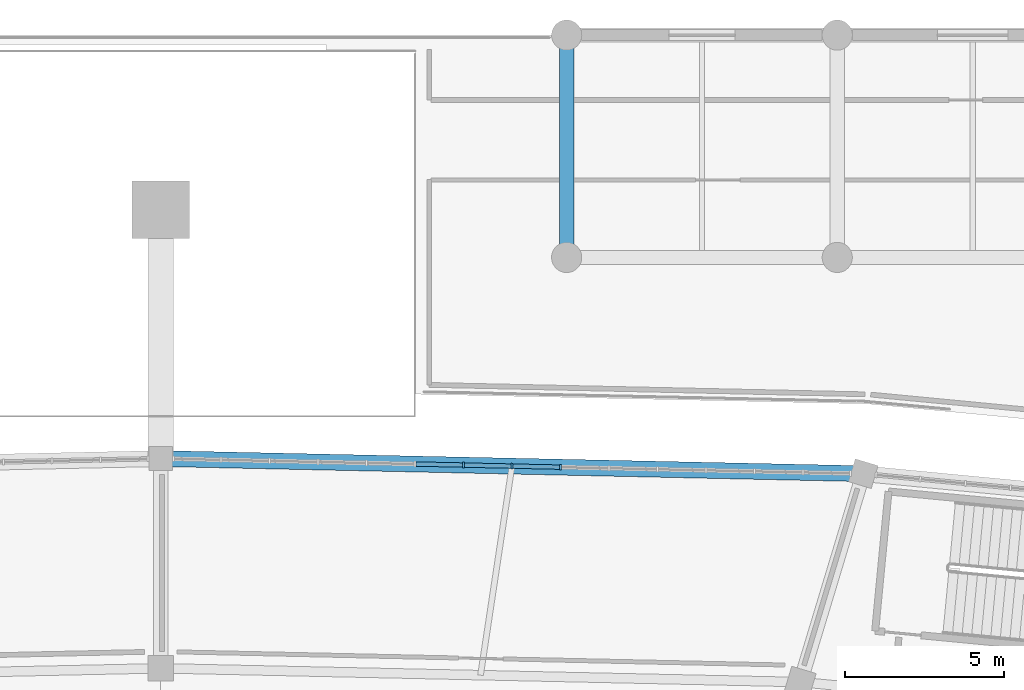
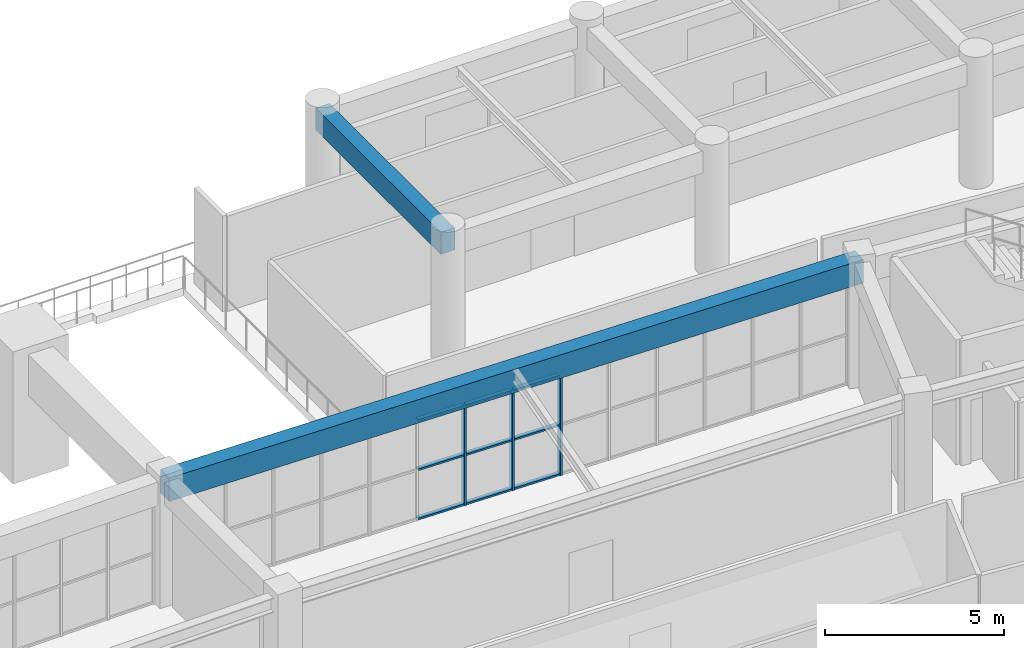
# One storey, part 60 of 141: 12 members, 2 beams, 1 element without a shape of its own.
"""IFC4 building model written with IfcOpenShell, lengths in metres."""

from ifc_helpers import new_model, si_unit, direction, frame, origin, origin_2d, place, context, subcontext, project, spatial, rectangle, extrude, material, layer, layer_set, material_profile, profile_set, type_object, element, aggregate, save


model = new_model("IFC4")

# Units and contexts
model_context = context("Model", 3, precision=1e-05, world=origin(), true_north=direction((0.0, 1.0)))
body_context = subcontext(model_context, "Body", "Model", "MODEL_VIEW")
ifc_project = project(units=[si_unit("LENGTHUNIT", "METRE"), si_unit("AREAUNIT", "SQUARE_METRE"), si_unit("VOLUMEUNIT", "CUBIC_METRE"), si_unit("PLANEANGLEUNIT", "RADIAN"), si_unit("MASSUNIT", "GRAM", prefix="KILO")], contexts=[model_context])

# Site, building, storey
site_placement = place(None, origin())
site = spatial("IfcSite", under=ifc_project, at=site_placement, CompositionType="ELEMENT")
building_placement = place(site_placement, origin())
building = spatial("IfcBuilding", under=site, at=building_placement, Name="Mphavela Belvedere Stadium", CompositionType="ELEMENT")
storey_placement = place(building_placement, frame((0.0, 0.0, 14.699951171875)))
storey = spatial("IfcBuildingStorey", under=building, at=storey_placement, Name="L03", CompositionType="ELEMENT", Elevation=14.699951171875)

# Beams
ifc_material_1 = material(Name="Concrete C40/50", Category="concrete")
ifc_material_profile_1 = material_profile(ifc_material_1, rectangle(XDim=0.449951171875, YDim=0.75, at=origin_2d()), Name="RC 450x750")
ifc_profile_set_1 = profile_set([ifc_material_profile_1], Name="Concrete C40/50")
beam_type_1 = type_object("IfcBeamType", Name="BM-RC450x750", PredefinedType="BEAM", material=ifc_profile_set_1)
beam_1_placement = place(storey_placement, frame((127.778076171875, 167.0, 3.864990234375), z_axis=(0.0, 1.0, 0.0), x_axis=(-1.0, 0.0, 0.0)))
element("IfcBeam", 1, at=beam_1_placement, inside=storey, type_object=beam_type_1, Name="North Mast and Ceremonial End Forecourt entablature beam Y L03 16-7", PredefinedType="BEAM", context=body_context, shape_type="SweptSolid", body=[
    extrude(rectangle(XDim=0.449951171875, YDim=0.75, at=origin_2d()), origin(), (0.0, 0.0, 1.0), 7.0),
])
ifc_material_2 = material(Name="Concrete C40/50", Category="concrete")
ifc_material_profile_2 = material_profile(ifc_material_2, rectangle(XDim=0.5, YDim=0.800048828125, at=origin_2d()), Name="RC 500x800")
ifc_profile_set_2 = profile_set([ifc_material_profile_2], Name="Concrete C40/50")
beam_type_2 = type_object("IfcBeamType", Name="BM-SPANDREL-800", PredefinedType="SPANDREL", material=ifc_profile_set_2)
beam_2_placement = place(storey_placement, frame((137.114501953125, 160.19384765625, 3.85009765625), z_axis=(-0.999768359718, 0.021522706765, 0.0), x_axis=(-0.021522706765, -0.999768359718, 0.0)))
element("IfcBeam", 2, at=beam_2_placement, inside=storey, type_object=beam_type_2, Name="Circumferential girder L03 R4-12", PredefinedType="SPANDREL", context=body_context, shape_type="SweptSolid", body=[
    extrude(rectangle(XDim=0.5, YDim=0.800048828125, at=origin_2d()), origin(), (0.0, 0.0, 1.0), 22.11962890625),
])

# Curtain wall, members
ifc_material_3 = material(Name="Anodised bronze unitised curtain wall framing")
ifc_layer = layer(ifc_material_3, 0.195068359375)
ifc_layer_set = layer_set([ifc_layer], Name="Anodised bronze unitised curtain wall framing")
curtain_wall_type = type_object("IfcCurtainWallType", Name="CW-UNIT-04", PredefinedType="USERDEFINED", material=ifc_layer_set)
curtain_wall_placement = place(storey_placement, origin())
curtain_wall = element("IfcCurtainWall", 3, at=curtain_wall_placement, inside=storey, type_object=curtain_wall_type, Name="Belvedere colonnade curtain wall L03-12", ObjectType="UNITISED CURTAIN WALL", PredefinedType="USERDEFINED")
ifc_material_4 = material(Name="Anodised bronze extruded aluminium", Category="aluminium")
ifc_material_profile_3 = material_profile(ifc_material_4, rectangle(XDim=0.179931640625, YDim=0.06494140625, at=origin_2d()), Name="CW-MUL 180x65")
ifc_profile_set_3 = profile_set([ifc_material_profile_3], Name="Anodised bronze extruded aluminium")
member_type_1 = type_object("IfcMemberType", Name="CWM-180x65", PredefinedType="MULLION", material=ifc_profile_set_3)
member_1_placement = place(storey_placement, frame((127.583740234375, 160.39892578125, 0.0), z_axis=(0.0, 0.0, 1.0), x_axis=(-0.02153107878, -0.999768179453, 0.0)))
member_1 = element("IfcMember", 4, at=member_1_placement, type_object=member_type_1, Name="CW-04 mullion 7", PredefinedType="MULLION", context=body_context, shape_type="SweptSolid", body=[
    extrude(rectangle(XDim=0.179931640625, YDim=0.06494140625, at=origin_2d()), origin(), (0.0, 0.0, 1.0), 3.420166015625),
])
member_2_placement = place(storey_placement, frame((126.057373046875, 160.431884765625, 0.0), z_axis=(0.0, 0.0, 1.0), x_axis=(-0.02153107878, -0.999768179453, 0.0)))
member_2 = element("IfcMember", 5, at=member_2_placement, type_object=member_type_1, Name="CW-04 mullion 8", PredefinedType="MULLION", context=body_context, shape_type="SweptSolid", body=[
    extrude(rectangle(XDim=0.179931640625, YDim=0.06494140625, at=origin_2d()), origin(), (0.0, 0.0, 1.0), 3.420166015625),
])
member_3_placement = place(storey_placement, frame((124.531005859375, 160.46484375, 0.0), z_axis=(0.0, 0.0, 1.0), x_axis=(-0.02153107878, -0.999768179453, 0.0)))
member_3 = element("IfcMember", 6, at=member_3_placement, type_object=member_type_1, Name="CW-04 mullion 9", PredefinedType="MULLION", context=body_context, shape_type="SweptSolid", body=[
    extrude(rectangle(XDim=0.179931640625, YDim=0.06494140625, at=origin_2d()), origin(), (0.0, 0.0, 1.0), 3.420166015625),
])
ifc_material_5 = material(Name="Anodised bronze extruded aluminium", Category="aluminium")
ifc_material_profile_4 = material_profile(ifc_material_5, rectangle(XDim=0.139892578125, YDim=0.06005859375, at=origin_2d()), Name="CW-TRN 140x60")
ifc_profile_set_4 = profile_set([ifc_material_profile_4], Name="Anodised bronze extruded aluminium")
member_type_2 = type_object("IfcMemberType", Name="CWT-140x60", PredefinedType="USERDEFINED", material=ifc_profile_set_4)
member_4_placement = place(storey_placement, frame((127.55126953125, 160.399658203125, 0.030029296875), z_axis=(-0.999767873479, 0.021545281604, 0.0), x_axis=(-0.021545281604, -0.999767873479, 0.0)))
member_4 = element("IfcMember", 7, at=member_4_placement, type_object=member_type_2, Name="CW-04 transom 7.1", ObjectType="TRANSOM", PredefinedType="USERDEFINED", context=body_context, shape_type="SweptSolid", body=[
    extrude(rectangle(XDim=0.139892578125, YDim=0.06005859375, at=origin_2d()), origin(), (0.0, 0.0, 1.0), 1.461669921875),
])
member_5_placement = place(storey_placement, frame((127.55126953125, 160.399658203125, 1.7099609375), z_axis=(-0.999767873479, 0.021545281604, 0.0), x_axis=(-0.021545281604, -0.999767873479, 0.0)))
member_5 = element("IfcMember", 8, at=member_5_placement, type_object=member_type_2, Name="CW-04 transom 7.2", ObjectType="TRANSOM", PredefinedType="USERDEFINED", context=body_context, shape_type="SweptSolid", body=[
    extrude(rectangle(XDim=0.139892578125, YDim=0.06005859375, at=origin_2d()), origin(), (0.0, 0.0, 1.0), 1.461669921875),
])
member_6_placement = place(storey_placement, frame((127.55126953125, 160.399658203125, 3.39013671875), z_axis=(-0.999767873479, 0.021545281604, 0.0), x_axis=(-0.021545281604, -0.999767873479, 0.0)))
member_6 = element("IfcMember", 9, at=member_6_placement, type_object=member_type_2, Name="CW-04 transom 7.3", ObjectType="TRANSOM", PredefinedType="USERDEFINED", context=body_context, shape_type="SweptSolid", body=[
    extrude(rectangle(XDim=0.139892578125, YDim=0.06005859375, at=origin_2d()), origin(), (0.0, 0.0, 1.0), 1.461669921875),
])
member_7_placement = place(storey_placement, frame((126.02490234375, 160.4326171875, 0.030029296875), z_axis=(-0.999767873479, 0.021545281604, 0.0), x_axis=(-0.021545281604, -0.999767873479, 0.0)))
member_7 = element("IfcMember", 10, at=member_7_placement, type_object=member_type_2, Name="CW-04 transom 8.1", ObjectType="TRANSOM", PredefinedType="USERDEFINED", context=body_context, shape_type="SweptSolid", body=[
    extrude(rectangle(XDim=0.139892578125, YDim=0.06005859375, at=origin_2d()), origin(), (0.0, 0.0, 1.0), 1.461669921875),
])
member_8_placement = place(storey_placement, frame((126.02490234375, 160.4326171875, 1.7099609375), z_axis=(-0.999767873479, 0.021545281604, 0.0), x_axis=(-0.021545281604, -0.999767873479, 0.0)))
member_8 = element("IfcMember", 11, at=member_8_placement, type_object=member_type_2, Name="CW-04 transom 8.2", ObjectType="TRANSOM", PredefinedType="USERDEFINED", context=body_context, shape_type="SweptSolid", body=[
    extrude(rectangle(XDim=0.139892578125, YDim=0.06005859375, at=origin_2d()), origin(), (0.0, 0.0, 1.0), 1.461669921875),
])
member_9_placement = place(storey_placement, frame((126.02490234375, 160.4326171875, 3.39013671875), z_axis=(-0.999767873479, 0.021545281604, 0.0), x_axis=(-0.021545281604, -0.999767873479, 0.0)))
member_9 = element("IfcMember", 12, at=member_9_placement, type_object=member_type_2, Name="CW-04 transom 8.3", ObjectType="TRANSOM", PredefinedType="USERDEFINED", context=body_context, shape_type="SweptSolid", body=[
    extrude(rectangle(XDim=0.139892578125, YDim=0.06005859375, at=origin_2d()), origin(), (0.0, 0.0, 1.0), 1.461669921875),
])
member_10_placement = place(storey_placement, frame((124.49853515625, 160.465576171875, 0.030029296875), z_axis=(-0.999771457162, 0.021378340547, 0.0), x_axis=(-0.021378340547, -0.999771457162, 0.0)))
member_10 = element("IfcMember", 13, at=member_10_placement, type_object=member_type_2, Name="CW-04 transom 9.1", ObjectType="TRANSOM", PredefinedType="USERDEFINED", context=body_context, shape_type="SweptSolid", body=[
    extrude(rectangle(XDim=0.139892578125, YDim=0.06005859375, at=origin_2d()), origin(), (0.0, 0.0, 1.0), 1.461669921875),
])
member_11_placement = place(storey_placement, frame((124.49853515625, 160.465576171875, 1.7099609375), z_axis=(-0.999771457162, 0.021378340547, 0.0), x_axis=(-0.021378340547, -0.999771457162, 0.0)))
member_11 = element("IfcMember", 14, at=member_11_placement, type_object=member_type_2, Name="CW-04 transom 9.2", ObjectType="TRANSOM", PredefinedType="USERDEFINED", context=body_context, shape_type="SweptSolid", body=[
    extrude(rectangle(XDim=0.139892578125, YDim=0.06005859375, at=origin_2d()), origin(), (0.0, 0.0, 1.0), 1.461669921875),
])
member_12_placement = place(storey_placement, frame((124.49853515625, 160.465576171875, 3.39013671875), z_axis=(-0.999771457162, 0.021378340547, 0.0), x_axis=(-0.021378340547, -0.999771457162, 0.0)))
member_12 = element("IfcMember", 15, at=member_12_placement, type_object=member_type_2, Name="CW-04 transom 9.3", ObjectType="TRANSOM", PredefinedType="USERDEFINED", context=body_context, shape_type="SweptSolid", body=[
    extrude(rectangle(XDim=0.139892578125, YDim=0.06005859375, at=origin_2d()), origin(), (0.0, 0.0, 1.0), 1.461669921875),
])
aggregate(curtain_wall, [member_1, member_2, member_3, member_4, member_5, member_6, member_7, member_8, member_9, member_10, member_11, member_12])

save(model, "model.ifc")
